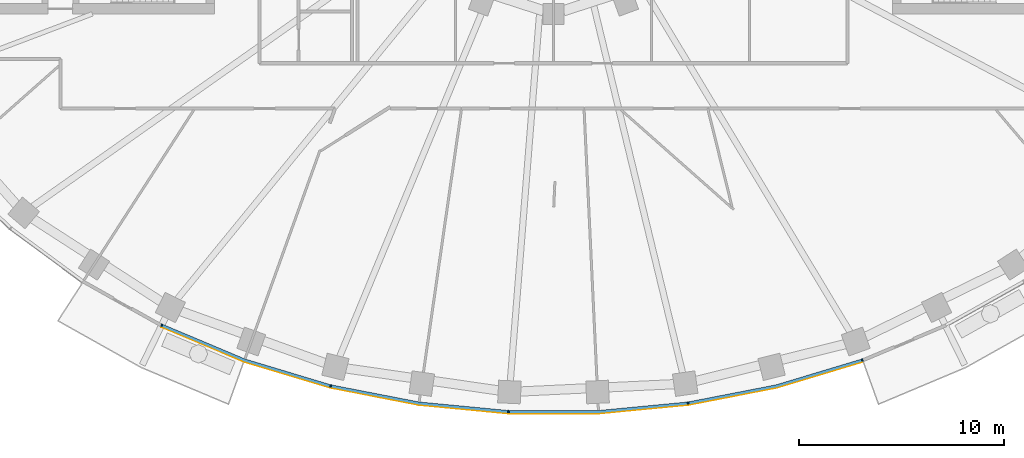
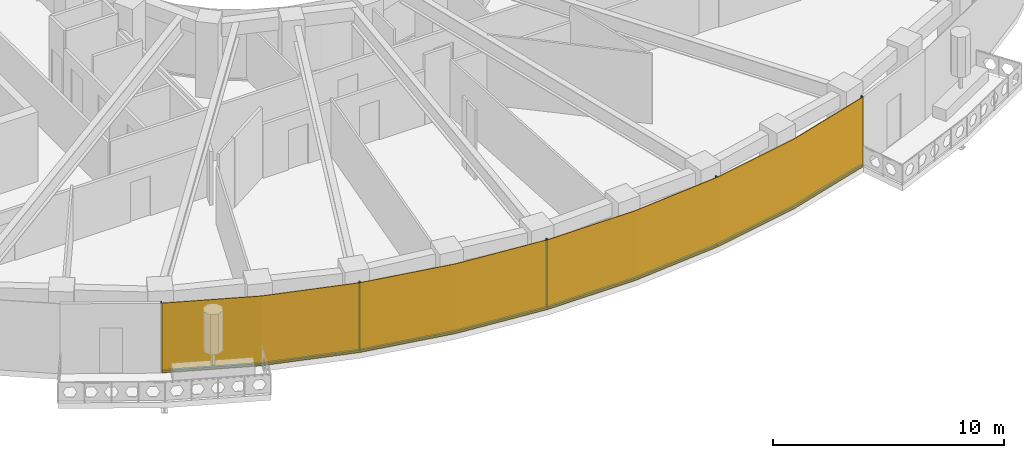
# One storey, part 9 of 15: 9 members, 1 curtain wall.
"""IFC4 building model written with IfcOpenShell, lengths in metres."""

from ifc_helpers import new_model, si_unit, direction, frame, origin, origin_2d, place, context, subcontext, project, spatial, polyline, rectangle, outline, extrude, material, layer, layer_set, material_profile, profile_set, type_object, element, aggregate, save


model = new_model("IFC4")

# Units and contexts
model_context = context("Model", 3, precision=1e-05, world=origin(), true_north=direction((0.0, 1.0)))
body_context = subcontext(model_context, "Body", "Model", "MODEL_VIEW")
ifc_project = project(units=[si_unit("LENGTHUNIT", "METRE"), si_unit("AREAUNIT", "SQUARE_METRE"), si_unit("VOLUMEUNIT", "CUBIC_METRE"), si_unit("PLANEANGLEUNIT", "RADIAN"), si_unit("MASSUNIT", "GRAM", prefix="KILO")], contexts=[model_context])

# Member
ifc_material_1 = material(Name="Aluminium 6063-T6 black anodised", Category="aluminium")
ifc_material_profile = material_profile(ifc_material_1, rectangle(XDim=0.1201171875, YDim=0.06005859375, at=origin_2d()), Name="120x60")
ifc_profile_set = profile_set([ifc_material_profile], Name="Aluminium 6063-T6 black anodised")
member_type_1 = type_object("IfcMemberType", Name="ENV-MULLION-A-120", PredefinedType="MULLION", material=ifc_profile_set)
site_placement = place(None, origin())
building_placement = place(site_placement, origin())
storey_placement = place(building_placement, frame((0.0, 0.0, 241.5)))
member_1_placement = place(storey_placement, frame((-19.06787109375, -23.6474609375, 0.0), z_axis=(0.0, 0.0, 1.0), x_axis=(0.439237769837, 0.898370848563, 0.0)))
member_1 = element("IfcMember", 1, at=member_1_placement, type_object=member_type_1, Name="Mullion A radial 31", PredefinedType="MULLION", context=body_context, shape_type="SweptSolid", body=[
    extrude(rectangle(XDim=0.1201171875, YDim=0.06005859375, at=origin_2d()), origin(), (0.0, 0.0, 1.0), 3.699951171875),
])

member_2_placement = place(storey_placement, frame((-10.84326171875, -26.60498046875, 0.0), z_axis=(0.0, 0.0, 1.0), x_axis=(0.239799081534, 0.970822538106, 0.0)))
member_2 = element("IfcMember", 2, at=member_2_placement, type_object=member_type_1, Name="Mullion A radial 33", PredefinedType="MULLION", context=body_context, shape_type="SweptSolid", body=[
    extrude(rectangle(XDim=0.1201171875, YDim=0.06005859375, at=origin_2d()), origin(), (0.0, 0.0, 1.0), 3.699951171875),
])

member_3_placement = place(storey_placement, frame((-2.188720703125, -27.856201171875, 0.0), z_axis=(0.0, 0.0, 1.0), x_axis=(0.047557873581, 0.998868484166, 0.0)))
member_3 = element("IfcMember", 3, at=member_3_placement, type_object=member_type_1, Name="Mullion A radial 35", PredefinedType="MULLION", context=body_context, shape_type="SweptSolid", body=[
    extrude(rectangle(XDim=0.1201171875, YDim=0.06005859375, at=origin_2d()), origin(), (0.0, 0.0, 1.0), 3.699951171875),
])

member_4_placement = place(storey_placement, frame((6.54638671875, -27.440185546875, 0.0), z_axis=(0.0, 0.0, 1.0), x_axis=(-0.143082012705, 0.989710835366, 0.0)))
member_4 = element("IfcMember", 4, at=member_4_placement, type_object=member_type_1, Name="Mullion A radial 37", PredefinedType="MULLION", context=body_context, shape_type="SweptSolid", body=[
    extrude(rectangle(XDim=0.1201171875, YDim=0.06005859375, at=origin_2d()), origin(), (0.0, 0.0, 1.0), 3.699951171875),
])

member_5_placement = place(storey_placement, frame((15.0341796875, -25.34375, 0.0), z_axis=(0.0, 0.0, 1.0), x_axis=(-0.338379256581, 0.941009818608, 0.0)))
member_5 = element("IfcMember", 5, at=member_5_placement, type_object=member_type_1, Name="Mullion A radial 39", PredefinedType="MULLION", context=body_context, shape_type="SweptSolid", body=[
    extrude(rectangle(XDim=0.1201171875, YDim=0.06005859375, at=origin_2d()), origin(), (0.0, 0.0, 1.0), 3.699951171875),
])

ifc_material_2 = material(Name="Aluminium 6063-T6 black anodised", Category="aluminium")
member_type_2 = type_object("IfcMemberType", Name="ENV-TRANSOM-A", PredefinedType="USERDEFINED", material=ifc_material_2)
member_6_placement = place(storey_placement, origin())
member_6 = element("IfcMember", 6, at=member_6_placement, type_object=member_type_2, Name="Transom A radial 31-33", ObjectType="TRANSOM", PredefinedType="USERDEFINED", context=body_context, shape_type="SweptSolid", body=[
    extrude(outline(polyline([(-19.068359375, -23.71240234375), (-15.054443359375, -25.400146484375), (-10.884521484375, -26.655029296875), (-10.855712890625, -26.53857421875), (-15.013916015625, -25.287109375), (-19.015380859375, -23.604248046875), (-19.068359375, -23.71240234375)])), origin(), (0.0, 0.0, 1.0), 0.10009765625),
])

member_7_placement = place(storey_placement, origin())
member_7 = element("IfcMember", 7, at=member_7_placement, type_object=member_type_2, Name="Transom A radial 33-35", ObjectType="TRANSOM", PredefinedType="USERDEFINED", context=body_context, shape_type="SweptSolid", body=[
    extrude(outline(polyline([(-10.830078125, -26.66845703125), (-6.55517578125, -27.49951171875), (-2.219482421875, -27.913330078125), (-2.2138671875, -27.793212890625), (-6.537841796875, -27.380615234375), (-10.80126953125, -26.552001953125), (-10.830078125, -26.66845703125)])), origin(), (0.0, 0.0, 1.0), 0.10009765625),
])

member_8_placement = place(storey_placement, origin())
member_8 = element("IfcMember", 8, at=member_8_placement, type_object=member_type_2, Name="Transom A radial 35-37", ObjectType="TRANSOM", PredefinedType="USERDEFINED", context=body_context, shape_type="SweptSolid", body=[
    extrude(outline(polyline([(-2.163818359375, -27.916015625), (2.191650390625, -27.916015625), (6.527099609375, -27.502197265625), (6.510009765625, -27.38330078125), (2.185791015625, -27.7958984375), (-2.157958984375, -27.7958984375), (-2.163818359375, -27.916015625)])), origin(), (0.0, 0.0, 1.0), 0.10009765625),
])

member_9_placement = place(storey_placement, origin())
member_9 = element("IfcMember", 9, at=member_9_placement, type_object=member_type_2, Name="Transom A radial 37-39", ObjectType="TRANSOM", PredefinedType="USERDEFINED", context=body_context, shape_type="SweptSolid", body=[
    extrude(outline(polyline([(6.58251953125, -27.494140625), (10.857666015625, -26.6630859375), (15.027587890625, -25.408203125), (14.987060546875, -25.295166015625), (10.828857421875, -26.54638671875), (6.5654296875, -27.375244140625), (6.58251953125, -27.494140625)])), origin(), (0.0, 0.0, 1.0), 0.10009765625),
])

# Site, building, storey
site = spatial("IfcSite", under=ifc_project, at=site_placement, CompositionType="ELEMENT")
building = spatial("IfcBuilding", under=site, at=building_placement, Name="Noorbagh Ring Tower", CompositionType="ELEMENT")
storey = spatial("IfcBuildingStorey", under=building, at=storey_placement, Name="L50", CompositionType="ELEMENT", Elevation=241.5)

# Curtain wall
ifc_material_3 = material(Name="Glass dark tinted laminated", Category="glass")
ifc_layer = layer(ifc_material_3, 0.031982421875)
ifc_layer_set = layer_set([ifc_layer], Name="Glass dark tinted laminated")
curtain_wall_type = type_object("IfcCurtainWallType", Name="ENV-CW-A", PredefinedType="NOTDEFINED", material=ifc_layer_set)
curtain_wall_placement = place(storey_placement, origin())
curtain_wall = element("IfcCurtainWall", 10, at=curtain_wall_placement, inside=storey, type_object=curtain_wall_type, Name="Curtain wall A R31", PredefinedType="NOTDEFINED", context=body_context, shape_type="SweptSolid", body=[
    extrude(outline(polyline([(-19.08984375, -23.738037109375), (-15.065185546875, -25.430419921875), (-10.865234375, -26.6943359375), (-6.559814453125, -27.53125), (-2.193115234375, -27.947998046875), (2.193115234375, -27.947998046875), (6.559814453125, -27.53125), (10.865234375, -26.6943359375), (15.046142578125, -25.43603515625), (15.035400390625, -25.406005859375), (10.857666015625, -26.6630859375), (6.55517578125, -27.49951171875), (2.191650390625, -27.916015625), (-2.191650390625, -27.916015625), (-6.55517578125, -27.49951171875), (-10.857666015625, -26.6630859375), (-15.054443359375, -25.400146484375), (-19.07568359375, -23.709228515625), (-19.08984375, -23.738037109375)])), origin(), (0.0, 0.0, 1.0), 3.699951171875),
])

aggregate(curtain_wall, [member_1, member_2, member_3, member_4, member_5, member_6, member_7, member_8, member_9])

save(model, "model.ifc")
